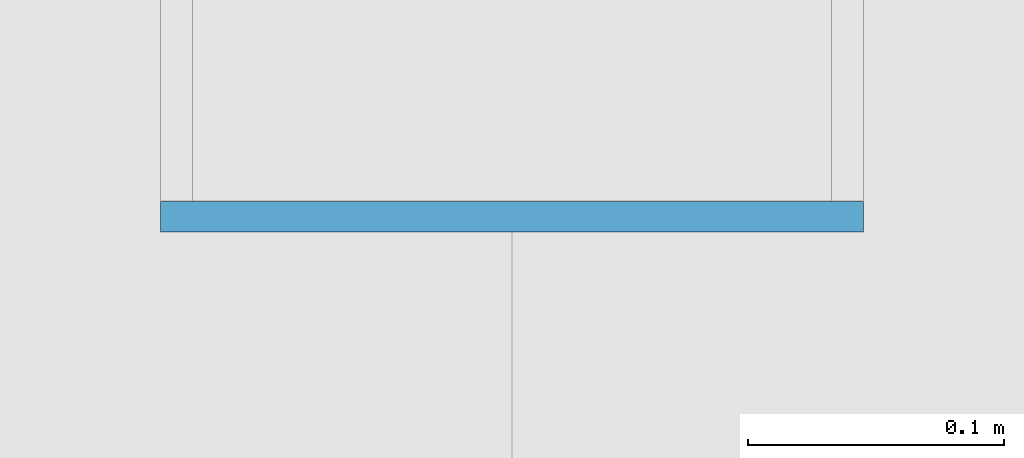
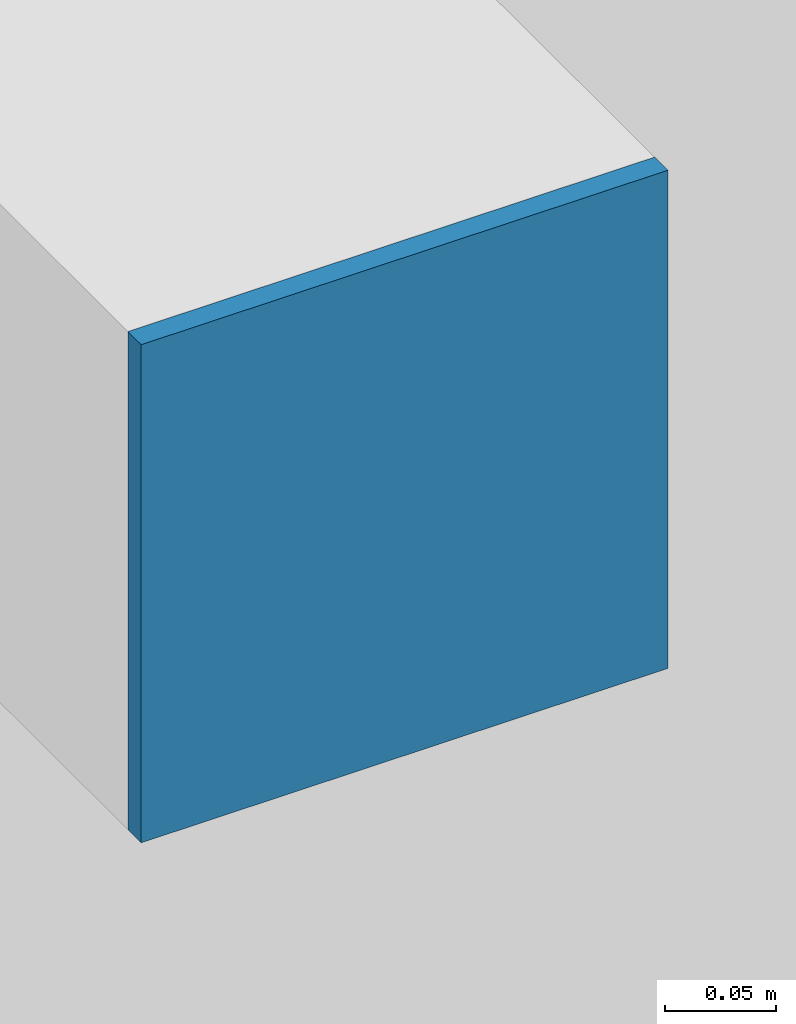
# One storey, part 45 of 59: 1 plate.
"""IFC4 building model written with IfcOpenShell, lengths in metres."""

from ifc_helpers import new_model, si_unit, direction, frame, origin, origin_2d, place, context, subcontext, project, spatial, rectangle, extrude, source, transform, mapped, material, layer, layer_set, type_object, element, save


model = new_model("IFC4")

# Units and contexts
model_context = context("Model", 3, precision=1e-05, world=origin(), true_north=direction((0.0, 1.0)))
body_context = subcontext(model_context, "Body", "Model", "MODEL_VIEW")
ifc_project = project(units=[si_unit("LENGTHUNIT", "METRE"), si_unit("AREAUNIT", "SQUARE_METRE"), si_unit("VOLUMEUNIT", "CUBIC_METRE"), si_unit("PLANEANGLEUNIT", "RADIAN"), si_unit("MASSUNIT", "GRAM", prefix="KILO")], contexts=[model_context])

# Site, building, storey
site_placement = place(None, origin())
site = spatial("IfcSite", under=ifc_project, at=site_placement, CompositionType="ELEMENT")
building_placement = place(site_placement, origin())
building = spatial("IfcBuilding", under=site, at=building_placement, Name="Taldren Reach Tower", CompositionType="ELEMENT")
storey_placement = place(building_placement, frame((0.0, 0.0, 29.39990234375)))
storey = spatial("IfcBuildingStorey", under=building, at=storey_placement, Name="L08", CompositionType="ELEMENT", Elevation=29.39990234375)

# Plate
ifc_material = material(Name="Steel Gr 450 (C450L0)", Category="steel")
ifc_layer = layer(ifc_material, 0.011962890625)
ifc_layer_set = layer_set([ifc_layer], Name="Steel Gr 450 (C450L0)")
plate_type = type_object("IfcPlateType", Name="PL-CAP-275", PredefinedType="SHEET", material=ifc_layer_set)
shared_shape = source(origin(), body_context, "Body", "SweptSolid", [
    extrude(rectangle(XDim=0.27490234375, YDim=0.011962890625, at=origin_2d()), origin(), (0.0, 0.0, 1.0), 0.27490234375),
])
plate_placement = place(storey_placement, frame((29.760009765625, 0.593994140625, 2.5126953125), z_axis=(0.0, 0.0, 1.0), x_axis=(1.0, 0.0, 0.0)))
element("IfcPlate", 1, at=plate_placement, inside=storey, type_object=plate_type, Name="Tie strut end cap plate B1-S3 L08", PredefinedType="SHEET", context=body_context, shape_type="MappedRepresentation", body=[
    mapped(shared_shape, transform((0.0, 0.0, 0.0), scale=1.0)),
])

save(model, "model.ifc")
